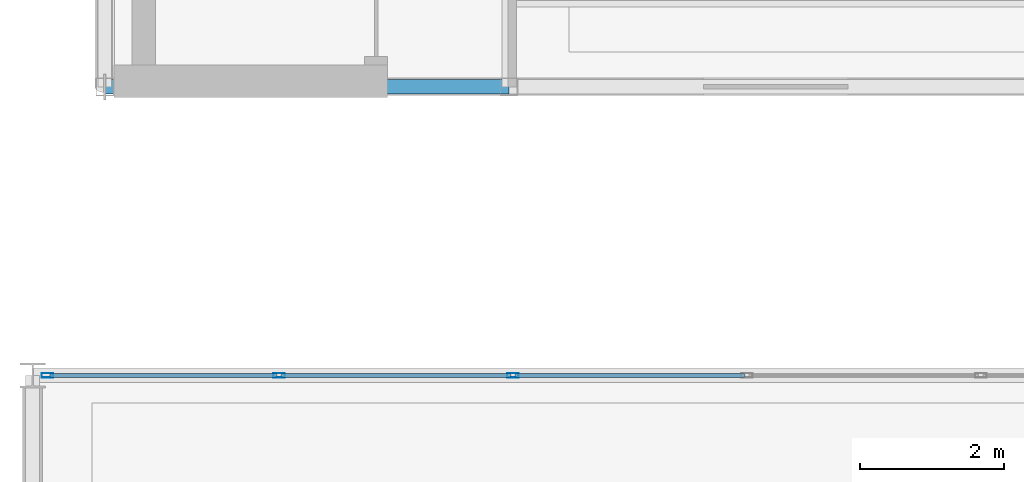
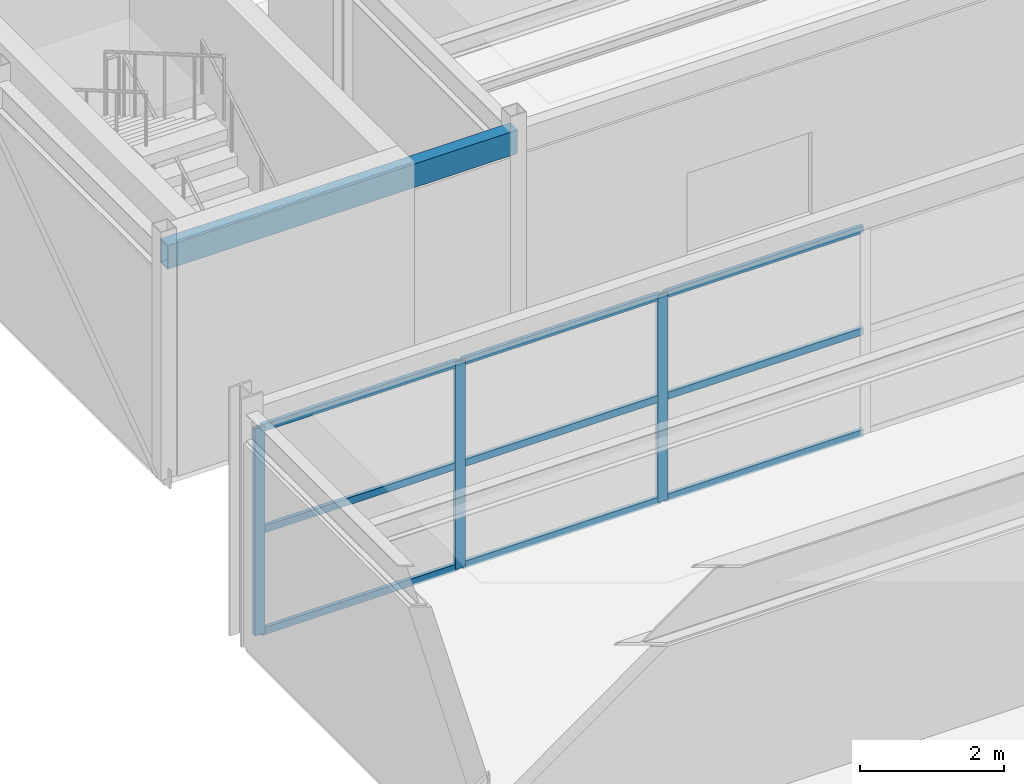
# One storey, part 19 of 148: 12 members, 1 beam, 1 element without a shape of its own.
"""IFC4 building model written with IfcOpenShell, lengths in metres."""

from ifc_helpers import new_model, si_unit, direction, frame, origin, origin_2d, place, context, subcontext, project, spatial, hollow_rectangle, extrude, material, material_profile, profile_set, type_object, element, aggregate, save


model = new_model("IFC4")

# Units and contexts
model_context = context("Model", 3, precision=1e-05, world=origin(), true_north=direction((0.0, 1.0)))
body_context = subcontext(model_context, "Body", "Model", "MODEL_VIEW")
ifc_project = project(units=[si_unit("LENGTHUNIT", "METRE"), si_unit("AREAUNIT", "SQUARE_METRE"), si_unit("VOLUMEUNIT", "CUBIC_METRE"), si_unit("PLANEANGLEUNIT", "RADIAN"), si_unit("MASSUNIT", "GRAM", prefix="KILO")], contexts=[model_context])

# Site, building, storey
site_placement = place(None, origin())
site = spatial("IfcSite", under=ifc_project, at=site_placement, CompositionType="ELEMENT")
building_placement = place(site_placement, origin())
building = spatial("IfcBuilding", under=site, at=building_placement, Name="Karori Crest Natural Sciences Institute", CompositionType="ELEMENT")
storey_placement = place(building_placement, frame((0.0, 0.0, 4.89990234375)))
storey = spatial("IfcBuildingStorey", under=building, at=storey_placement, Name="L01", CompositionType="ELEMENT", Elevation=4.89990234375)

# Beam
ifc_material_1 = material(Name="Hollow structural steel AS/NZS 1163 Grade C350", Category="steel")
ifc_material_profile_1 = material_profile(ifc_material_1, hollow_rectangle(XDim=0.199951171875, YDim=0.39990234375, WallThickness=0.012451171875, at=origin_2d()), Name="RHS400x200x12.5")
ifc_profile_set_1 = profile_set([ifc_material_profile_1], Name="Hollow structural steel AS/NZS 1163 Grade C350")
beam_type = type_object("IfcBeamType", Name="BT-14", PredefinedType="SPANDREL", material=ifc_profile_set_1)
beam_placement = place(storey_placement, frame((1.800048828125, 31.199951171875, 3.72021484375), z_axis=(1.0, 0.0, 0.0), x_axis=(0.0, 1.0, 0.0)))
element("IfcBeam", 1, at=beam_placement, inside=storey, type_object=beam_type, Name="Beam B-1008", PredefinedType="SPANDREL", context=body_context, shape_type="SweptSolid", body=[
    extrude(hollow_rectangle(XDim=0.199951171875, YDim=0.39990234375, WallThickness=0.012451171875, at=origin_2d()), origin(), (0.0, 0.0, 1.0), 5.599853515625),
])

# Curtain wall, members
ifc_material_2 = material(Name="Anodised architectural aluminium 6063-T6", Category="aluminium")
curtain_wall_type = type_object("IfcCurtainWallType", Name="CWT-16", PredefinedType="NOTDEFINED", material=ifc_material_2)
curtain_wall_placement = place(storey_placement, origin())
curtain_wall = element("IfcCurtainWall", 2, at=curtain_wall_placement, inside=storey, type_object=curtain_wall_type, Name="Curtain wall CW-0252", PredefinedType="NOTDEFINED")
ifc_material_profile_2 = material_profile(ifc_material_2, hollow_rectangle(XDim=0.06494140625, YDim=0.159912109375, WallThickness=0.00390625, at=origin_2d()), Name="CWM160x65x4")
ifc_profile_set_2 = profile_set([ifc_material_profile_2], Name="Anodised architectural aluminium 6063-T6")
member_type_1 = type_object("IfcMemberType", Name="CWM-01", PredefinedType="MULLION", material=ifc_profile_set_2)
member_1_placement = place(storey_placement, frame((1.005615234375, 27.199951171875, 0.0), z_axis=(0.0, 0.0, 1.0), x_axis=(0.0, 1.0, 0.0)))
member_1 = element("IfcMember", 3, at=member_1_placement, type_object=member_type_1, Name="CW-0252 mullion 1", PredefinedType="MULLION", context=body_context, shape_type="SweptSolid", body=[
    extrude(hollow_rectangle(XDim=0.06494140625, YDim=0.159912109375, WallThickness=0.00390625, at=origin_2d()), origin(), (0.0, 0.0, 1.0), 3.505126953125),
])
member_2_placement = place(storey_placement, frame((4.21533203125, 27.199951171875, 0.0), z_axis=(0.0, 0.0, 1.0), x_axis=(0.0, 1.0, 0.0)))
member_2 = element("IfcMember", 4, at=member_2_placement, type_object=member_type_1, Name="CW-0252 mullion 2", PredefinedType="MULLION", context=body_context, shape_type="SweptSolid", body=[
    extrude(hollow_rectangle(XDim=0.06494140625, YDim=0.159912109375, WallThickness=0.00390625, at=origin_2d()), origin(), (0.0, 0.0, 1.0), 3.505126953125),
])
member_3_placement = place(storey_placement, frame((7.457763671875, 27.199951171875, 0.0), z_axis=(0.0, 0.0, 1.0), x_axis=(0.0, 1.0, 0.0)))
member_3 = element("IfcMember", 5, at=member_3_placement, type_object=member_type_1, Name="CW-0252 mullion 3", PredefinedType="MULLION", context=body_context, shape_type="SweptSolid", body=[
    extrude(hollow_rectangle(XDim=0.06494140625, YDim=0.159912109375, WallThickness=0.00390625, at=origin_2d()), origin(), (0.0, 0.0, 1.0), 3.505126953125),
])
ifc_material_profile_3 = material_profile(ifc_material_2, hollow_rectangle(XDim=0.06005859375, YDim=0.1201171875, WallThickness=0.00390625, at=origin_2d()), Name="CWT120x60x4")
ifc_profile_set_3 = profile_set([ifc_material_profile_3], Name="Anodised architectural aluminium 6063-T6")
member_type_2 = type_object("IfcMemberType", Name="CWT-TR1", PredefinedType="USERDEFINED", material=ifc_profile_set_3)
member_4_placement = place(storey_placement, frame((1.0380859375, 27.199951171875, 0.030029296875), z_axis=(1.0, 0.0, 0.0), x_axis=(0.0, 1.0, 0.0)))
member_4 = element("IfcMember", 6, at=member_4_placement, type_object=member_type_2, Name="CW-0252 transom 1.1", ObjectType="TRANSOM", PredefinedType="USERDEFINED", context=body_context, shape_type="SweptSolid", body=[
    extrude(hollow_rectangle(XDim=0.06005859375, YDim=0.1201171875, WallThickness=0.00390625, at=origin_2d()), origin(), (0.0, 0.0, 1.0), 3.144775390625),
])
member_5_placement = place(storey_placement, frame((1.0380859375, 27.199951171875, 1.752685546875), z_axis=(1.0, 0.0, 0.0), x_axis=(0.0, 1.0, 0.0)))
member_5 = element("IfcMember", 7, at=member_5_placement, type_object=member_type_2, Name="CW-0252 transom 1.2", ObjectType="TRANSOM", PredefinedType="USERDEFINED", context=body_context, shape_type="SweptSolid", body=[
    extrude(hollow_rectangle(XDim=0.06005859375, YDim=0.1201171875, WallThickness=0.00390625, at=origin_2d()), origin(), (0.0, 0.0, 1.0), 3.144775390625),
])
member_6_placement = place(storey_placement, frame((1.0380859375, 27.199951171875, 3.47509765625), z_axis=(1.0, 0.0, 0.0), x_axis=(0.0, 1.0, 0.0)))
member_6 = element("IfcMember", 8, at=member_6_placement, type_object=member_type_2, Name="CW-0252 transom 1.3", ObjectType="TRANSOM", PredefinedType="USERDEFINED", context=body_context, shape_type="SweptSolid", body=[
    extrude(hollow_rectangle(XDim=0.06005859375, YDim=0.1201171875, WallThickness=0.00390625, at=origin_2d()), origin(), (0.0, 0.0, 1.0), 3.144775390625),
])
member_7_placement = place(storey_placement, frame((4.247802734375, 27.199951171875, 0.030029296875), z_axis=(1.0, 0.0, 0.0), x_axis=(0.0, 1.0, 0.0)))
member_7 = element("IfcMember", 9, at=member_7_placement, type_object=member_type_2, Name="CW-0252 transom 2.1", ObjectType="TRANSOM", PredefinedType="USERDEFINED", context=body_context, shape_type="SweptSolid", body=[
    extrude(hollow_rectangle(XDim=0.06005859375, YDim=0.1201171875, WallThickness=0.00390625, at=origin_2d()), origin(), (0.0, 0.0, 1.0), 3.17724609375),
])
member_8_placement = place(storey_placement, frame((4.247802734375, 27.199951171875, 1.752685546875), z_axis=(1.0, 0.0, 0.0), x_axis=(0.0, 1.0, 0.0)))
member_8 = element("IfcMember", 10, at=member_8_placement, type_object=member_type_2, Name="CW-0252 transom 2.2", ObjectType="TRANSOM", PredefinedType="USERDEFINED", context=body_context, shape_type="SweptSolid", body=[
    extrude(hollow_rectangle(XDim=0.06005859375, YDim=0.1201171875, WallThickness=0.00390625, at=origin_2d()), origin(), (0.0, 0.0, 1.0), 3.17724609375),
])
member_9_placement = place(storey_placement, frame((4.247802734375, 27.199951171875, 3.47509765625), z_axis=(1.0, 0.0, 0.0), x_axis=(0.0, 1.0, 0.0)))
member_9 = element("IfcMember", 11, at=member_9_placement, type_object=member_type_2, Name="CW-0252 transom 2.3", ObjectType="TRANSOM", PredefinedType="USERDEFINED", context=body_context, shape_type="SweptSolid", body=[
    extrude(hollow_rectangle(XDim=0.06005859375, YDim=0.1201171875, WallThickness=0.00390625, at=origin_2d()), origin(), (0.0, 0.0, 1.0), 3.17724609375),
])
member_10_placement = place(storey_placement, frame((7.490234375, 27.199951171875, 0.030029296875), z_axis=(1.0, 0.0, 0.0), x_axis=(0.0, 1.0, 0.0)))
member_10 = element("IfcMember", 12, at=member_10_placement, type_object=member_type_2, Name="CW-0252 transom 3.1", ObjectType="TRANSOM", PredefinedType="USERDEFINED", context=body_context, shape_type="SweptSolid", body=[
    extrude(hollow_rectangle(XDim=0.06005859375, YDim=0.1201171875, WallThickness=0.00390625, at=origin_2d()), origin(), (0.0, 0.0, 1.0), 3.17724609375),
])
member_11_placement = place(storey_placement, frame((7.490234375, 27.199951171875, 1.752685546875), z_axis=(1.0, 0.0, 0.0), x_axis=(0.0, 1.0, 0.0)))
member_11 = element("IfcMember", 13, at=member_11_placement, type_object=member_type_2, Name="CW-0252 transom 3.2", ObjectType="TRANSOM", PredefinedType="USERDEFINED", context=body_context, shape_type="SweptSolid", body=[
    extrude(hollow_rectangle(XDim=0.06005859375, YDim=0.1201171875, WallThickness=0.00390625, at=origin_2d()), origin(), (0.0, 0.0, 1.0), 3.17724609375),
])
member_12_placement = place(storey_placement, frame((7.490234375, 27.199951171875, 3.47509765625), z_axis=(1.0, 0.0, 0.0), x_axis=(0.0, 1.0, 0.0)))
member_12 = element("IfcMember", 14, at=member_12_placement, type_object=member_type_2, Name="CW-0252 transom 3.3", ObjectType="TRANSOM", PredefinedType="USERDEFINED", context=body_context, shape_type="SweptSolid", body=[
    extrude(hollow_rectangle(XDim=0.06005859375, YDim=0.1201171875, WallThickness=0.00390625, at=origin_2d()), origin(), (0.0, 0.0, 1.0), 3.17724609375),
])
aggregate(curtain_wall, [member_1, member_2, member_3, member_4, member_5, member_6, member_7, member_8, member_9, member_10, member_11, member_12])

save(model, "model.ifc")
